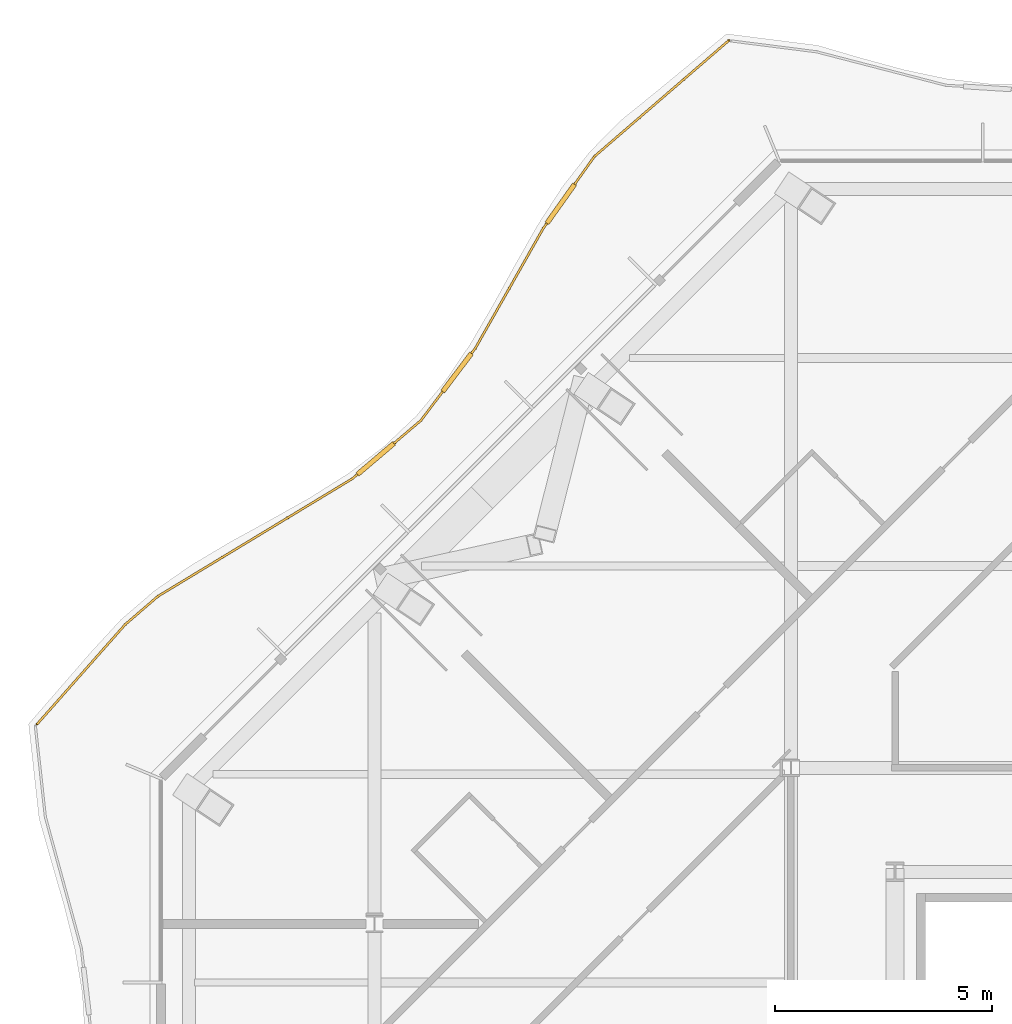
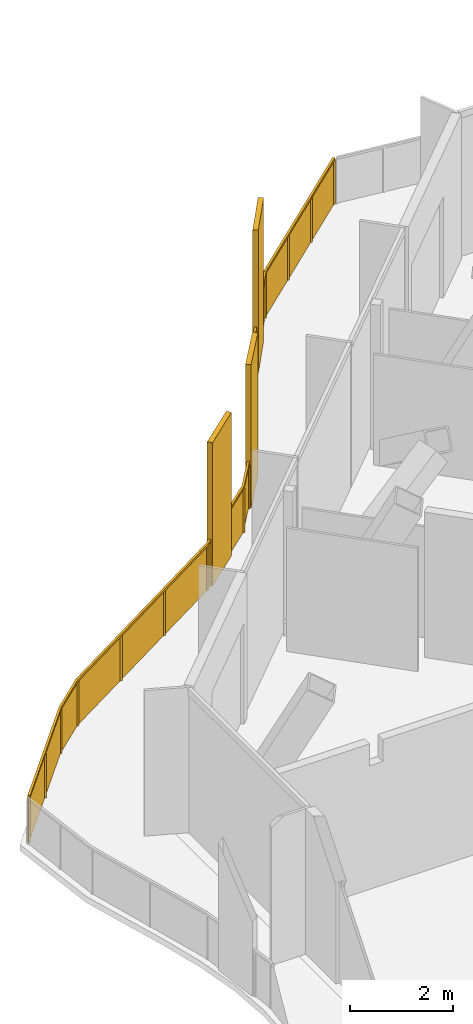
# One storey, part 19 of 21: 1 railing.
"""IFC4 building model written with IfcOpenShell, lengths in metres."""

from ifc_helpers import new_model, si_unit, direction, frame, origin, origin_2d, place, context, subcontext, project, spatial, polyline, rectangle, outline, extrude, material, type_object, element, save


model = new_model("IFC4")

# Units and contexts
model_context = context("Model", 3, precision=1e-05, world=origin(), true_north=direction((0.0, 1.0)))
body_context = subcontext(model_context, "Body", "Model", "MODEL_VIEW")
ifc_project = project(units=[si_unit("LENGTHUNIT", "METRE"), si_unit("AREAUNIT", "SQUARE_METRE"), si_unit("VOLUMEUNIT", "CUBIC_METRE"), si_unit("PLANEANGLEUNIT", "RADIAN"), si_unit("MASSUNIT", "GRAM", prefix="KILO")], contexts=[model_context])

# Site, building, storey
site_placement = place(None, origin())
site = spatial("IfcSite", under=ifc_project, at=site_placement, CompositionType="ELEMENT")
building_placement = place(site_placement, origin())
building = spatial("IfcBuilding", under=site, at=building_placement, Name="Cairn Pilgrim Tower", CompositionType="ELEMENT")
storey_placement = place(building_placement, frame((0.0, 0.0, 183.0)))
storey = spatial("IfcBuildingStorey", under=building, at=storey_placement, Name="L46", CompositionType="ELEMENT", Elevation=183.0)

# Railing
ifc_material = material(Name="Bronze anodised aluminium rail, posts and fin screens with laminated glass infill", Category="aluminium")
railing_type = type_object("IfcRailingType", Name="BALCONY GUARD WITH FIN SCREENS", PredefinedType="GUARDRAIL", material=ifc_material)
railing_placement = place(storey_placement, frame((-6.235107421875, 29.966552734375, 0.0)))
element("IfcRailing", 1, at=railing_placement, inside=storey, type_object=railing_type, Name="Balcony guard BGF-6 with fin screens", PredefinedType="GUARDRAIL", context=body_context, shape_type="SweptSolid", body=[
    extrude(rectangle(XDim=0.050048828125, YDim=0.050048828125, at=origin_2d()), frame((0.0, 0.0, 1.0751953125), z_axis=(-0.757145147321, -0.653246680733, 0.0), x_axis=(0.653246680733, -0.757145147321, 0.0)), (0.0, 0.0, 1.0), 4.088623046875),
    extrude(rectangle(XDim=1.10009765625, YDim=0.110107421875, at=origin_2d()), frame((-3.871826171875, -3.76220703125, 0.0), z_axis=(0.0, 0.0, 1.0), x_axis=(-0.579560891267, -0.814928937586, 0.0)), (0.0, 0.0, 1.0), 3.39990234375),
    extrude(rectangle(XDim=0.050048828125, YDim=0.050048828125, at=origin_2d()), frame((-3.095703125, -2.6708984375, 1.0751953125), z_axis=(-0.579560891267, -0.814928937586, 0.0), x_axis=(0.814928937586, -0.579560891267, 0.0)), (0.0, 0.0, 1.0), 0.789306640625),
    extrude(rectangle(XDim=0.050048828125, YDim=0.050048828125, at=origin_2d()), frame((-4.190673828125, -4.21044921875, 1.0751953125), z_axis=(-0.579560891267, -0.814928937586, 0.0), x_axis=(0.814928937586, -0.579560891267, 0.0)), (0.0, 0.0, 1.0), 0.150146484375),
    extrude(rectangle(XDim=0.050048828125, YDim=0.050048828125, at=origin_2d()), frame((-4.277587890625, -4.332763671875, 1.0751953125), z_axis=(-0.492894088965, -0.870089315567, 0.0), x_axis=(0.870089315567, -0.492894088965, 0.0)), (0.0, 0.0, 1.0), 3.171630859375),
    extrude(rectangle(XDim=1.10009765625, YDim=0.110107421875, at=origin_2d()), frame((-6.261962890625, -7.6513671875, 0.0), z_axis=(0.0, 0.0, 1.0), x_axis=(-0.601705067799, -0.798718355483, 0.0)), (0.0, 0.0, 1.0), 3.39990234375),
    extrude(rectangle(XDim=0.050048828125, YDim=0.050048828125, at=origin_2d()), frame((-5.8408203125, -7.09228515625, 1.0751953125), z_axis=(-0.601705067799, -0.798718355483, 0.0), x_axis=(0.798718355483, -0.601705067799, 0.0)), (0.0, 0.0, 1.0), 0.150146484375),
    extrude(rectangle(XDim=0.050048828125, YDim=0.050048828125, at=origin_2d()), frame((-6.593017578125, -8.0908203125, 1.0751953125), z_axis=(-0.601705067799, -0.798718355483, 0.0), x_axis=(0.798718355483, -0.601705067799, 0.0)), (0.0, 0.0, 1.0), 0.8330078125),
    extrude(rectangle(XDim=1.10009765625, YDim=0.110107421875, at=origin_2d()), frame((-8.139404296875, -9.64453125, 0.0), z_axis=(0.0, 0.0, 1.0), x_axis=(-0.761945132702, -0.647641578925, 0.0)), (0.0, 0.0, 1.0), 3.39990234375),
    extrude(rectangle(XDim=0.050048828125, YDim=0.050048828125, at=origin_2d()), frame((-7.09423828125, -8.756103515625, 1.0751953125), z_axis=(-0.761945132702, -0.647641578925, 0.0), x_axis=(0.647641578925, -0.761945132702, 0.0)), (0.0, 0.0, 1.0), 0.82177734375),
    extrude(rectangle(XDim=0.050048828125, YDim=0.050048828125, at=origin_2d()), frame((-8.55859375, -10.000732421875, 1.0751953125), z_axis=(-0.761945132702, -0.647641578925, 0.0), x_axis=(0.647641578925, -0.761945132702, 0.0)), (0.0, 0.0, 1.0), 0.150146484375),
    extrude(rectangle(XDim=0.050048828125, YDim=0.050048828125, at=origin_2d()), frame((-8.6728515625, -10.097900390625, 1.0751953125), z_axis=(-0.85564661817, -0.517560493869, 0.0), x_axis=(0.517560493869, -0.85564661817, 0.0)), (0.0, 0.0, 1.0), 5.24267578125),
    extrude(rectangle(XDim=0.050048828125, YDim=0.050048828125, at=origin_2d()), frame((-13.15869140625, -12.811279296875, 1.0751953125), z_axis=(-0.757389108918, -0.652963810401, 0.0), x_axis=(0.652963810401, -0.757389108918, 0.0)), (0.0, 0.0, 1.0), 0.998291015625),
    extrude(rectangle(XDim=0.050048828125, YDim=0.050048828125, at=origin_2d()), frame((-13.914794921875, -13.463134765625, 1.0751953125), z_axis=(-0.662340216417, -0.749203201886, 0.0), x_axis=(0.749203201886, -0.662340216417, 0.0)), (0.0, 0.0, 1.0), 3.06640625),
    extrude(rectangle(XDim=0.050048828125, YDim=0.050048828125, at=origin_2d()), origin(), (0.0, 0.0, 1.0), 1.050048828125),
    extrude(rectangle(XDim=0.050048828125, YDim=0.050048828125, at=origin_2d()), frame((-1.031982421875, -0.890380859375, 0.0)), (0.0, 0.0, 1.0), 1.050048828125),
    extrude(rectangle(XDim=0.050048828125, YDim=0.050048828125, at=origin_2d()), frame((-2.063720703125, -1.780517578125, 0.0)), (0.0, 0.0, 1.0), 1.050048828125),
    extrude(rectangle(XDim=0.050048828125, YDim=0.050048828125, at=origin_2d()), frame((-3.095703125, -2.6708984375, 0.0)), (0.0, 0.0, 1.0), 1.050048828125),
    extrude(rectangle(XDim=0.050048828125, YDim=0.050048828125, at=origin_2d()), frame((-3.53857421875, -3.293701171875, 0.0)), (0.0, 0.0, 1.0), 1.050048828125),
    extrude(rectangle(XDim=0.050048828125, YDim=0.050048828125, at=origin_2d()), frame((-4.205078125, -4.23095703125, 0.0)), (0.0, 0.0, 1.0), 1.050048828125),
    extrude(rectangle(XDim=0.050048828125, YDim=0.050048828125, at=origin_2d()), frame((-4.277587890625, -4.332763671875, 0.0)), (0.0, 0.0, 1.0), 1.050048828125),
    extrude(rectangle(XDim=0.050048828125, YDim=0.050048828125, at=origin_2d()), frame((-5.05908203125, -5.71240234375, 0.0)), (0.0, 0.0, 1.0), 1.050048828125),
    extrude(rectangle(XDim=0.050048828125, YDim=0.050048828125, at=origin_2d()), frame((-5.8408203125, -7.09228515625, 0.0)), (0.0, 0.0, 1.0), 1.050048828125),
    extrude(rectangle(XDim=0.050048828125, YDim=0.050048828125, at=origin_2d()), frame((-5.916015625, -7.192138671875, 0.0)), (0.0, 0.0, 1.0), 1.050048828125),
    extrude(rectangle(XDim=0.050048828125, YDim=0.050048828125, at=origin_2d()), frame((-6.60791015625, -8.110595703125, 0.0)), (0.0, 0.0, 1.0), 1.050048828125),
    extrude(rectangle(XDim=0.050048828125, YDim=0.050048828125, at=origin_2d()), frame((-7.09423828125, -8.756103515625, 0.0)), (0.0, 0.0, 1.0), 1.050048828125),
    extrude(rectangle(XDim=0.050048828125, YDim=0.050048828125, at=origin_2d()), frame((-7.701171875, -9.27197265625, 0.0)), (0.0, 0.0, 1.0), 1.050048828125),
    extrude(rectangle(XDim=0.050048828125, YDim=0.050048828125, at=origin_2d()), frame((-8.57763671875, -10.016845703125, 0.0)), (0.0, 0.0, 1.0), 1.050048828125),
    extrude(rectangle(XDim=0.050048828125, YDim=0.050048828125, at=origin_2d()), frame((-8.6728515625, -10.097900390625, 0.0)), (0.0, 0.0, 1.0), 1.050048828125),
    extrude(rectangle(XDim=0.050048828125, YDim=0.050048828125, at=origin_2d()), frame((-10.168212890625, -11.00244140625, 0.0)), (0.0, 0.0, 1.0), 1.050048828125),
    extrude(rectangle(XDim=0.050048828125, YDim=0.050048828125, at=origin_2d()), frame((-11.663330078125, -11.90673828125, 0.0)), (0.0, 0.0, 1.0), 1.050048828125),
    extrude(rectangle(XDim=0.050048828125, YDim=0.050048828125, at=origin_2d()), frame((-13.15869140625, -12.811279296875, 0.0)), (0.0, 0.0, 1.0), 1.050048828125),
    extrude(rectangle(XDim=0.050048828125, YDim=0.050048828125, at=origin_2d()), frame((-13.914794921875, -13.463134765625, 0.0)), (0.0, 0.0, 1.0), 1.050048828125),
    extrude(rectangle(XDim=0.050048828125, YDim=0.050048828125, at=origin_2d()), frame((-14.93017578125, -14.61181640625, 0.0)), (0.0, 0.0, 1.0), 1.050048828125),
    extrude(rectangle(XDim=0.050048828125, YDim=0.050048828125, at=origin_2d()), frame((-15.94580078125, -15.760498046875, 0.0)), (0.0, 0.0, 1.0), 1.050048828125),
    extrude(outline(polyline([(0.02490234375, 0.0), (1.337890625, 0.0), (1.337890625, 1.050048828125), (0.02490234375, 1.050048828125), (0.02490234375, 0.0)])), frame((0.00390625, -0.004638671875, 0.0), z_axis=(-0.653246680733, 0.757145147321, 0.0), x_axis=(-0.757145147321, -0.653246680733, 0.0)), (0.0, 0.0, 1.0), 0.011962890625),
    extrude(outline(polyline([(0.02490234375, 0.0), (1.337890625, 0.0), (1.337890625, 1.050048828125), (0.02490234375, 1.050048828125), (0.02490234375, 0.0)])), frame((-1.028076171875, -0.894775390625, 0.0), z_axis=(-0.653246680733, 0.757145147321, 0.0), x_axis=(-0.757145147321, -0.653246680733, 0.0)), (0.0, 0.0, 1.0), 0.011962890625),
    extrude(outline(polyline([(0.02490234375, 0.0), (1.337890625, 0.0), (1.337890625, 1.050048828125), (0.02490234375, 1.050048828125), (0.02490234375, 0.0)])), frame((-2.059814453125, -1.78515625, 0.0), z_axis=(-0.653246680733, 0.757145147321, 0.0), x_axis=(-0.757145147321, -0.653246680733, 0.0)), (0.0, 0.0, 1.0), 0.011962890625),
    extrude(outline(polyline([(0.02490234375, 0.0), (0.7392578125, 0.0), (0.7392578125, 1.050048828125), (0.02490234375, 1.050048828125), (0.02490234375, 0.0)])), frame((-3.0908203125, -2.67431640625, 0.0), z_axis=(-0.814928937586, 0.579560891267, 0.0), x_axis=(-0.579560891267, -0.814928937586, 0.0)), (0.0, 0.0, 1.0), 0.011962890625),
    extrude(outline(polyline([(0.02490234375, 0.0), (0.10009765625, 0.0), (0.10009765625, 1.050048828125), (0.02490234375, 1.050048828125), (0.02490234375, 0.0)])), frame((-4.2001953125, -4.234375, 0.0), z_axis=(-0.814928937586, 0.579560891267, 0.0), x_axis=(-0.579560891267, -0.814928937586, 0.0)), (0.0, 0.0, 1.0), 0.011962890625),
    extrude(outline(polyline([(0.02490234375, 0.0), (1.560791015625, 0.0), (1.560791015625, 1.050048828125), (0.02490234375, 1.050048828125), (0.02490234375, 0.0)])), frame((-4.2724609375, -4.335693359375, 0.0), z_axis=(-0.870089315567, 0.492894088965, 0.0), x_axis=(-0.492894088965, -0.870089315567, 0.0)), (0.0, 0.0, 1.0), 0.011962890625),
    extrude(outline(polyline([(0.02490234375, 0.0), (1.560791015625, 0.0), (1.560791015625, 1.050048828125), (0.02490234375, 1.050048828125), (0.02490234375, 0.0)])), frame((-5.053955078125, -5.715576171875, 0.0), z_axis=(-0.870089315567, 0.492894088965, 0.0), x_axis=(-0.492894088965, -0.870089315567, 0.0)), (0.0, 0.0, 1.0), 0.011962890625),
    extrude(outline(polyline([(0.02490234375, 0.0), (0.10009765625, 0.0), (0.10009765625, 1.050048828125), (0.02490234375, 1.050048828125), (0.02490234375, 0.0)])), frame((-5.8359375, -7.095947265625, 0.0), z_axis=(-0.798718355483, 0.601705067799, 0.0), x_axis=(-0.601705067799, -0.798718355483, 0.0)), (0.0, 0.0, 1.0), 0.011962890625),
    extrude(outline(polyline([(0.02490234375, 0.0), (0.782958984375, 0.0), (0.782958984375, 1.050048828125), (0.02490234375, 1.050048828125), (0.02490234375, 0.0)])), frame((-6.603271484375, -8.1142578125, 0.0), z_axis=(-0.798718355483, 0.601705067799, 0.0), x_axis=(-0.601705067799, -0.798718355483, 0.0)), (0.0, 0.0, 1.0), 0.011962890625),
    extrude(outline(polyline([(0.02490234375, 0.0), (0.771728515625, 0.0), (0.771728515625, 1.050048828125), (0.02490234375, 1.050048828125), (0.02490234375, 0.0)])), frame((-7.09033203125, -8.7607421875, 0.0), z_axis=(-0.647641578925, 0.761945132702, 0.0), x_axis=(-0.761945132702, -0.647641578925, 0.0)), (0.0, 0.0, 1.0), 0.011962890625),
    extrude(outline(polyline([(0.02490234375, 0.0), (0.10009765625, 0.0), (0.10009765625, 1.050048828125), (0.02490234375, 1.050048828125), (0.02490234375, 0.0)])), frame((-8.57373046875, -10.021484375, 0.0), z_axis=(-0.647641578925, 0.761945132702, 0.0), x_axis=(-0.761945132702, -0.647641578925, 0.0)), (0.0, 0.0, 1.0), 0.011962890625),
    extrude(outline(polyline([(0.02490234375, 0.0), (1.722412109375, 0.0), (1.722412109375, 1.050048828125), (0.02490234375, 1.050048828125), (0.02490234375, 0.0)])), frame((-8.669677734375, -10.10302734375, 0.0), z_axis=(-0.517560493869, 0.85564661817, 0.0), x_axis=(-0.85564661817, -0.517560493869, 0.0)), (0.0, 0.0, 1.0), 0.011962890625),
    extrude(outline(polyline([(0.02490234375, 0.0), (1.722412109375, 0.0), (1.722412109375, 1.050048828125), (0.02490234375, 1.050048828125), (0.02490234375, 0.0)])), frame((-10.1650390625, -11.007568359375, 0.0), z_axis=(-0.517560493869, 0.85564661817, 0.0), x_axis=(-0.85564661817, -0.517560493869, 0.0)), (0.0, 0.0, 1.0), 0.011962890625),
    extrude(outline(polyline([(0.02490234375, 0.0), (1.722412109375, 0.0), (1.722412109375, 1.050048828125), (0.02490234375, 1.050048828125), (0.02490234375, 0.0)])), frame((-11.660400390625, -11.911865234375, 0.0), z_axis=(-0.517560493869, 0.85564661817, 0.0), x_axis=(-0.85564661817, -0.517560493869, 0.0)), (0.0, 0.0, 1.0), 0.011962890625),
    extrude(outline(polyline([(0.02490234375, 0.0), (0.973388671875, 0.0), (0.973388671875, 1.050048828125), (0.02490234375, 1.050048828125), (0.02490234375, 0.0)])), frame((-13.15478515625, -12.81591796875, 0.0), z_axis=(-0.652963810401, 0.757389108918, 0.0), x_axis=(-0.757389108918, -0.652963810401, 0.0)), (0.0, 0.0, 1.0), 0.011962890625),
    extrude(outline(polyline([(0.02490234375, 0.0), (1.50830078125, 0.0), (1.50830078125, 1.050048828125), (0.02490234375, 1.050048828125), (0.02490234375, 0.0)])), frame((-13.910400390625, -13.467041015625, 0.0), z_axis=(-0.749203201886, 0.662340216417, 0.0), x_axis=(-0.662340216417, -0.749203201886, 0.0)), (0.0, 0.0, 1.0), 0.011962890625),
    extrude(outline(polyline([(0.02490234375, 0.0), (1.50830078125, 0.0), (1.50830078125, 1.050048828125), (0.02490234375, 1.050048828125), (0.02490234375, 0.0)])), frame((-14.92578125, -14.61572265625, 0.0), z_axis=(-0.749203201886, 0.662340216417, 0.0), x_axis=(-0.662340216417, -0.749203201886, 0.0)), (0.0, 0.0, 1.0), 0.011962890625),
])

save(model, "model.ifc")
